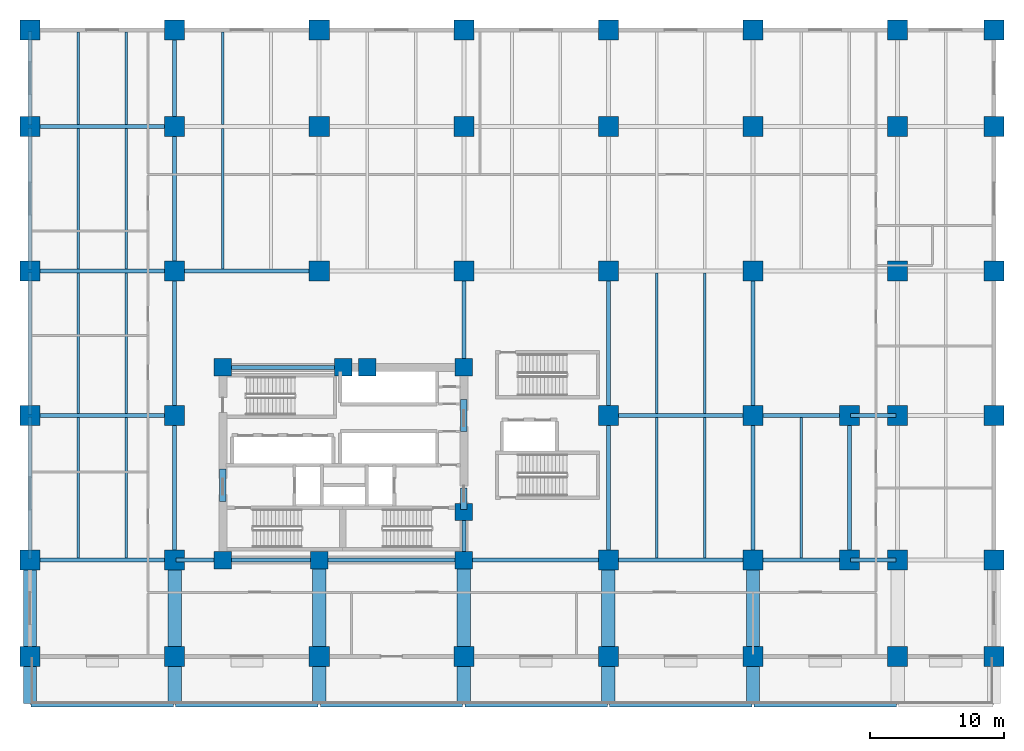
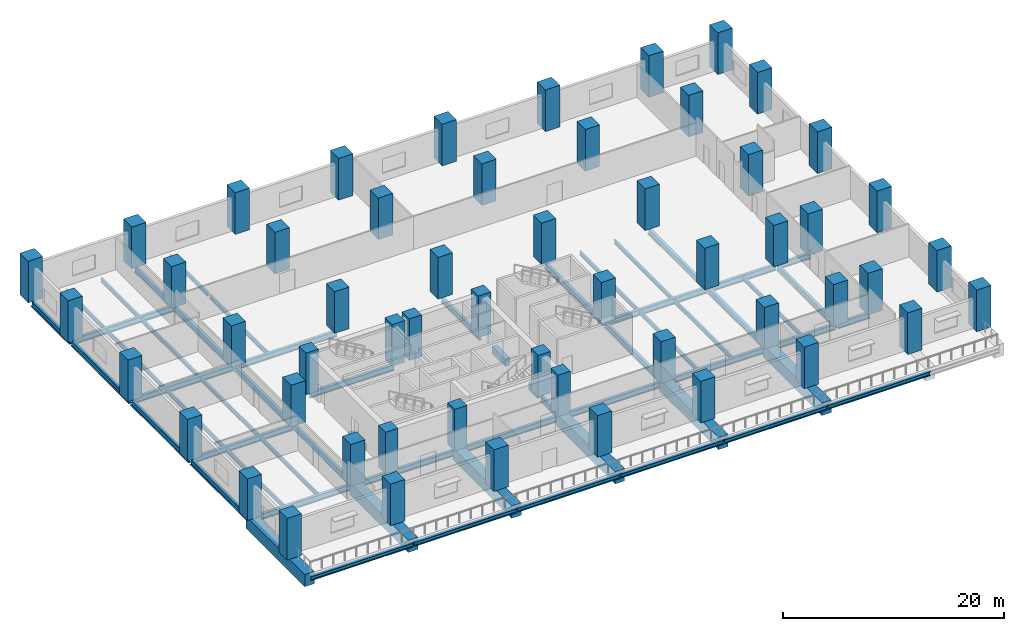
# One storey, part 1 of 11: 61 beams, 54 columns.
"""IFC4 building model written with IfcOpenShell, lengths in metres."""

from ifc_helpers import new_model, si_unit, direction, frame, origin, origin_2d, place, context, subcontext, project, spatial, rectangle, i_section, extrude, material, material_profile, profile_set, type_object, element, save


model = new_model("IFC4")

# Units and contexts
model_context = context("Model", 3, precision=1e-05, world=origin(), true_north=direction((0.0, 1.0)))
body_context = subcontext(model_context, "Body", "Model", "MODEL_VIEW")
ifc_project = project(units=[si_unit("LENGTHUNIT", "METRE"), si_unit("AREAUNIT", "SQUARE_METRE"), si_unit("VOLUMEUNIT", "CUBIC_METRE"), si_unit("PLANEANGLEUNIT", "RADIAN"), si_unit("MASSUNIT", "GRAM", prefix="KILO")], contexts=[model_context])

# Site, building, storey
site_placement = place(None, origin())
site = spatial("IfcSite", under=ifc_project, at=site_placement, CompositionType="ELEMENT")
building_placement = place(site_placement, origin())
building = spatial("IfcBuilding", under=site, at=building_placement, Name="Solnavia Interchange Tower", CompositionType="ELEMENT")
storey_placement = place(building_placement, frame((0.0, 0.0, 14.800048828125)))
storey = spatial("IfcBuildingStorey", under=building, at=storey_placement, Name="L03", CompositionType="ELEMENT", Elevation=14.800048828125)

# Columns
ifc_material_1 = material(Name="Concrete C60/75", Category="concrete")
ifc_material_profile_1 = material_profile(ifc_material_1, rectangle(XDim=1.300048828125, YDim=1.300048828125, at=origin_2d()), Name="RC 1300x1300")
ifc_profile_set_1 = profile_set([ifc_material_profile_1], Name="Concrete C60/75")
column_type_1 = type_object("IfcColumnType", Name="Col-RC-1300x1300", PredefinedType="COLUMN", material=ifc_profile_set_1)
for number, where, z_axis, x_axis, name in (
    (1, (14.39990234375, 10.800048828125, 0.0), (0.0, 0.0, 1.0), (1.0, 0.0, 0.0), "COL-L03-P13 Podium core column"),
    (2, (14.39990234375, 25.199951171875, 0.0), (0.0, 0.0, 1.0), (1.0, 0.0, 0.0), "COL-L03-P14 Podium core column"),
    (3, (21.60009765625, 10.800048828125, 0.0), (0.0, 0.0, 1.0), (1.0, 0.0, 0.0), "COL-L03-P16 Podium core column"),
    (4, (23.39990234375, 25.199951171875, 0.0), (0.0, 0.0, 1.0), (1.0, 0.0, 0.0), "COL-L03-P20 Podium core column"),
    (5, (25.199951171875, 25.199951171875, 0.0), (0.0, 0.0, 1.0), (1.0, 0.0, 0.0), "COL-L03-P21 Podium core column"),
    (6, (32.39990234375, 10.800048828125, 0.0), (0.0, 0.0, 1.0), (1.0, 0.0, 0.0), "COL-L03-P23 Podium core column"),
    (7, (32.39990234375, 14.39990234375, 0.0), (0.0, 0.0, 1.0), (1.0, 0.0, 0.0), "COL-L03-P24 Podium core column"),
    (8, (32.39990234375, 25.199951171875, 0.0), (0.0, 0.0, 1.0), (1.0, 0.0, 0.0), "COL-L03-P25 Podium core column"),
):
    element("IfcColumn", number, at=place(storey_placement, frame(where, z_axis=z_axis, x_axis=x_axis)), inside=storey, type_object=column_type_1, Name=name, PredefinedType="COLUMN", context=body_context, shape_type="SweptSolid", body=[
        extrude(rectangle(XDim=1.300048828125, YDim=1.300048828125, at=origin_2d()), origin(), (0.0, 0.0, 1.0), 4.599853515625),
    ])
ifc_material_profile_2 = material_profile(ifc_material_1, rectangle(XDim=1.5, YDim=1.5, at=origin_2d()), Name="RC 1500x1500")
ifc_profile_set_2 = profile_set([ifc_material_profile_2], Name="Concrete C60/75")
column_type_2 = type_object("IfcColumnType", Name="Col-RC-1500x1500", PredefinedType="COLUMN", material=ifc_profile_set_2)
for number, where, z_axis, x_axis, name in (
    (9, (0.0, 3.60009765625, 0.0), (0.0, 0.0, 1.0), (1.0, 0.0, 0.0), "COL-L03-P01 Podium concourse column"),
    (10, (0.0, 10.800048828125, 0.0), (0.0, 0.0, 1.0), (1.0, 0.0, 0.0), "COL-L03-P02 Podium concourse column"),
    (11, (0.0, 21.60009765625, 0.0), (0.0, 0.0, 1.0), (1.0, 0.0, 0.0), "COL-L03-P03 Podium concourse column"),
    (12, (0.0, 32.39990234375, 0.0), (0.0, 0.0, 1.0), (1.0, 0.0, 0.0), "COL-L03-P04 Podium concourse column"),
    (13, (0.0, 43.199951171875, 0.0), (0.0, 0.0, 1.0), (1.0, 0.0, 0.0), "COL-L03-P05 Podium concourse column"),
    (14, (0.0, 50.39990234375, 0.0), (0.0, 0.0, 1.0), (1.0, 0.0, 0.0), "COL-L03-P06 Podium concourse column"),
    (15, (10.800048828125, 3.60009765625, 0.0), (0.0, 0.0, 1.0), (1.0, 0.0, 0.0), "COL-L03-P07 Podium concourse column"),
    (16, (10.800048828125, 10.800048828125, 0.0), (0.0, 0.0, 1.0), (1.0, 0.0, 0.0), "COL-L03-P08 Podium concourse column"),
    (17, (10.800048828125, 21.60009765625, 0.0), (0.0, 0.0, 1.0), (1.0, 0.0, 0.0), "COL-L03-P09 Podium concourse column"),
    (18, (10.800048828125, 32.39990234375, 0.0), (0.0, 0.0, 1.0), (1.0, 0.0, 0.0), "COL-L03-P10 Podium concourse column"),
    (19, (10.800048828125, 43.199951171875, 0.0), (0.0, 0.0, 1.0), (1.0, 0.0, 0.0), "COL-L03-P11 Podium concourse column"),
    (20, (10.800048828125, 50.39990234375, 0.0), (0.0, 0.0, 1.0), (1.0, 0.0, 0.0), "COL-L03-P12 Podium concourse column"),
    (21, (21.60009765625, 3.60009765625, 0.0), (0.0, 0.0, 1.0), (1.0, 0.0, 0.0), "COL-L03-P15 Podium concourse column"),
    (22, (21.60009765625, 32.39990234375, 0.0), (0.0, 0.0, 1.0), (1.0, 0.0, 0.0), "COL-L03-P17 Podium concourse column"),
    (23, (21.60009765625, 43.199951171875, 0.0), (0.0, 0.0, 1.0), (1.0, 0.0, 0.0), "COL-L03-P18 Podium concourse column"),
    (24, (21.60009765625, 50.39990234375, 0.0), (0.0, 0.0, 1.0), (1.0, 0.0, 0.0), "COL-L03-P19 Podium concourse column"),
    (25, (32.39990234375, 3.60009765625, 0.0), (0.0, 0.0, 1.0), (1.0, 0.0, 0.0), "COL-L03-P22 Podium concourse column"),
    (26, (32.39990234375, 32.39990234375, 0.0), (0.0, 0.0, 1.0), (1.0, 0.0, 0.0), "COL-L03-P26 Podium concourse column"),
    (27, (32.39990234375, 43.199951171875, 0.0), (0.0, 0.0, 1.0), (1.0, 0.0, 0.0), "COL-L03-P27 Podium concourse column"),
    (28, (32.39990234375, 50.39990234375, 0.0), (0.0, 0.0, 1.0), (1.0, 0.0, 0.0), "COL-L03-P28 Podium concourse column"),
    (29, (43.199951171875, 3.60009765625, 0.0), (0.0, 0.0, 1.0), (1.0, 0.0, 0.0), "COL-L03-P29 Podium concourse column"),
    (30, (43.199951171875, 10.800048828125, 0.0), (0.0, 0.0, 1.0), (1.0, 0.0, 0.0), "COL-L03-P30 Podium concourse column"),
    (31, (43.199951171875, 21.60009765625, 0.0), (0.0, 0.0, 1.0), (1.0, 0.0, 0.0), "COL-L03-P31 Podium concourse column"),
    (32, (43.199951171875, 32.39990234375, 0.0), (0.0, 0.0, 1.0), (1.0, 0.0, 0.0), "COL-L03-P32 Podium concourse column"),
    (33, (43.199951171875, 43.199951171875, 0.0), (0.0, 0.0, 1.0), (1.0, 0.0, 0.0), "COL-L03-P33 Podium concourse column"),
    (34, (43.199951171875, 50.39990234375, 0.0), (0.0, 0.0, 1.0), (1.0, 0.0, 0.0), "COL-L03-P34 Podium concourse column"),
    (35, (54.0, 3.60009765625, 0.0), (0.0, 0.0, 1.0), (1.0, 0.0, 0.0), "COL-L03-P35 Podium concourse column"),
    (36, (54.0, 10.800048828125, 0.0), (0.0, 0.0, 1.0), (1.0, 0.0, 0.0), "COL-L03-P36 Podium concourse column"),
    (37, (54.0, 21.60009765625, 0.0), (0.0, 0.0, 1.0), (1.0, 0.0, 0.0), "COL-L03-P37 Podium concourse column"),
    (38, (54.0, 32.39990234375, 0.0), (0.0, 0.0, 1.0), (1.0, 0.0, 0.0), "COL-L03-P38 Podium concourse column"),
    (39, (54.0, 43.199951171875, 0.0), (0.0, 0.0, 1.0), (1.0, 0.0, 0.0), "COL-L03-P39 Podium concourse column"),
    (40, (54.0, 50.39990234375, 0.0), (0.0, 0.0, 1.0), (1.0, 0.0, 0.0), "COL-L03-P40 Podium concourse column"),
    (41, (61.199951171875, 10.800048828125, 0.0), (0.0, 0.0, 1.0), (1.0, 0.0, 0.0), "COL-L03-P41 Podium concourse column"),
    (42, (61.199951171875, 21.60009765625, 0.0), (0.0, 0.0, 1.0), (1.0, 0.0, 0.0), "COL-L03-P42 Podium concourse column"),
    (43, (64.800048828125, 3.60009765625, 0.0), (0.0, 0.0, 1.0), (1.0, 0.0, 0.0), "COL-L03-P43 Podium concourse column"),
    (44, (64.800048828125, 10.800048828125, 0.0), (0.0, 0.0, 1.0), (1.0, 0.0, 0.0), "COL-L03-P44 Podium concourse column"),
    (45, (64.800048828125, 21.60009765625, 0.0), (0.0, 0.0, 1.0), (1.0, 0.0, 0.0), "COL-L03-P45 Podium concourse column"),
    (46, (64.800048828125, 32.39990234375, 0.0), (0.0, 0.0, 1.0), (1.0, 0.0, 0.0), "COL-L03-P46 Podium concourse column"),
    (47, (64.800048828125, 43.199951171875, 0.0), (0.0, 0.0, 1.0), (1.0, 0.0, 0.0), "COL-L03-P47 Podium concourse column"),
    (48, (64.800048828125, 50.39990234375, 0.0), (0.0, 0.0, 1.0), (1.0, 0.0, 0.0), "COL-L03-P48 Podium concourse column"),
    (49, (72.0, 3.60009765625, 0.0), (0.0, 0.0, 1.0), (1.0, 0.0, 0.0), "COL-L03-P49 Podium concourse column"),
    (50, (72.0, 10.800048828125, 0.0), (0.0, 0.0, 1.0), (1.0, 0.0, 0.0), "COL-L03-P50 Podium concourse column"),
    (51, (72.0, 21.60009765625, 0.0), (0.0, 0.0, 1.0), (1.0, 0.0, 0.0), "COL-L03-P51 Podium concourse column"),
    (52, (72.0, 32.39990234375, 0.0), (0.0, 0.0, 1.0), (1.0, 0.0, 0.0), "COL-L03-P52 Podium concourse column"),
    (53, (72.0, 43.199951171875, 0.0), (0.0, 0.0, 1.0), (1.0, 0.0, 0.0), "COL-L03-P53 Podium concourse column"),
    (54, (72.0, 50.39990234375, 0.0), (0.0, 0.0, 1.0), (1.0, 0.0, 0.0), "COL-L03-P54 Podium concourse column"),
):
    element("IfcColumn", number, at=place(storey_placement, frame(where, z_axis=z_axis, x_axis=x_axis)), inside=storey, type_object=column_type_2, Name=name, PredefinedType="COLUMN", context=body_context, shape_type="SweptSolid", body=[
        extrude(rectangle(XDim=1.5, YDim=1.5, at=origin_2d()), origin(), (0.0, 0.0, 1.0), 4.599853515625),
    ])

# Beams
ifc_material_2 = material(Name="Concrete C50/60", Category="concrete")
ifc_material_profile_3 = material_profile(ifc_material_2, rectangle(XDim=0.5, YDim=0.800048828125, at=origin_2d()), Name="RC 500x800")
ifc_profile_set_3 = profile_set([ifc_material_profile_3], Name="Concrete C50/60")
beam_type_1 = type_object("IfcBeamType", Name="Beam-Coupling-RC500x800", PredefinedType="LINTEL", material=ifc_profile_set_3)
beam_1_placement = place(storey_placement, frame((14.39990234375, 15.199951171875, -0.400146484375), z_axis=(0.0, 1.0, 0.0), x_axis=(-1.0, 0.0, 0.0)))
element("IfcBeam", 55, at=beam_1_placement, inside=storey, type_object=beam_type_1, Name="CPB-L03-W1 Core coupling lintel beam", PredefinedType="LINTEL", context=body_context, shape_type="SweptSolid", body=[
    extrude(rectangle(XDim=0.5, YDim=0.800048828125, at=origin_2d()), origin(), (0.0, 0.0, 1.0), 2.400146484375),
])
beam_2_placement = place(storey_placement, frame((32.39990234375, 14.60009765625, -0.400146484375), z_axis=(0.0, 1.0, 0.0), x_axis=(-1.0, 0.0, 0.0)))
element("IfcBeam", 56, at=beam_2_placement, inside=storey, type_object=beam_type_1, Name="CPB-L03-E1 Core coupling lintel beam", PredefinedType="LINTEL", context=body_context, shape_type="SweptSolid", body=[
    extrude(rectangle(XDim=0.5, YDim=0.800048828125, at=origin_2d()), origin(), (0.0, 0.0, 1.0), 1.599853515625),
])
beam_3_placement = place(storey_placement, frame((32.39990234375, 20.39990234375, -0.400146484375), z_axis=(0.0, 1.0, 0.0), x_axis=(-1.0, 0.0, 0.0)))
element("IfcBeam", 57, at=beam_3_placement, inside=storey, type_object=beam_type_1, Name="CPB-L03-E2 Core coupling lintel beam", PredefinedType="LINTEL", context=body_context, shape_type="SweptSolid", body=[
    extrude(rectangle(XDim=0.5, YDim=0.800048828125, at=origin_2d()), origin(), (0.0, 0.0, 1.0), 2.400146484375),
])
ifc_material_3 = material(Name="Steel S460", Category="steel")
ifc_material_profile_4 = material_profile(ifc_material_3, i_section(OverallWidth=0.300048828125, OverallDepth=0.449951171875, WebThickness=0.013916015625, FlangeThickness=0.02587890625, FilletRadius=0.027099609375, at=origin_2d()), Name="HEB 450")
ifc_profile_set_4 = profile_set([ifc_material_profile_4], Name="Steel S460")
beam_type_2 = type_object("IfcBeamType", Name="Beam-Girder-HEB450", PredefinedType="BEAM", material=ifc_profile_set_4)
beam_4_placement = place(storey_placement, frame((0.080078125, 0.0, -0.525146484375), z_axis=(1.0, 0.0, 0.0), x_axis=(0.0, 1.0, 0.0)))
element("IfcBeam", 58, at=beam_4_placement, inside=storey, type_object=beam_type_2, Name="GRD-L03-RFS09 South terrace edge girder", PredefinedType="BEAM", context=body_context, shape_type="SweptSolid", body=[
    extrude(i_section(OverallWidth=0.300048828125, OverallDepth=0.449951171875, WebThickness=0.013916015625, FlangeThickness=0.02587890625, FilletRadius=0.027099609375, at=origin_2d()), origin(), (0.0, 0.0, 1.0), 10.639892578125),
])
for number, where, z_axis, x_axis, name in (
    (59, (10.8798828125, 0.0, -0.525146484375), (1.0, 0.0, 0.0), (0.0, 1.0, 0.0), "GRD-L03-RFS10 South terrace edge girder"),
    (60, (21.679931640625, 0.0, -0.525146484375), (1.0, 0.0, 0.0), (0.0, 1.0, 0.0), "GRD-L03-RFS11 South terrace edge girder"),
    (61, (32.47998046875, 0.0, -0.525146484375), (1.0, 0.0, 0.0), (0.0, 1.0, 0.0), "GRD-L03-RFS12 South terrace edge girder"),
):
    element("IfcBeam", number, at=place(storey_placement, frame(where, z_axis=z_axis, x_axis=x_axis)), inside=storey, type_object=beam_type_2, Name=name, PredefinedType="BEAM", context=body_context, shape_type="SweptSolid", body=[
        extrude(i_section(OverallWidth=0.300048828125, OverallDepth=0.449951171875, WebThickness=0.013916015625, FlangeThickness=0.02587890625, FilletRadius=0.027099609375, at=origin_2d()), origin(), (0.0, 0.0, 1.0), 10.64013671875),
    ])
for number, where, z_axis, x_axis, name in (
    (62, (43.280029296875, 0.0, -0.525146484375), (1.0, 0.0, 0.0), (0.0, 1.0, 0.0), "GRD-L03-RFS13 South terrace edge girder"),
    (63, (54.080078125, 0.0, -0.525146484375), (1.0, 0.0, 0.0), (0.0, 1.0, 0.0), "GRD-L03-RFS14 South terrace edge girder"),
):
    element("IfcBeam", number, at=place(storey_placement, frame(where, z_axis=z_axis, x_axis=x_axis)), inside=storey, type_object=beam_type_2, Name=name, PredefinedType="BEAM", context=body_context, shape_type="SweptSolid", body=[
        extrude(i_section(OverallWidth=0.300048828125, OverallDepth=0.449951171875, WebThickness=0.013916015625, FlangeThickness=0.02587890625, FilletRadius=0.027099609375, at=origin_2d()), origin(), (0.0, 0.0, 1.0), 10.639892578125),
    ])
ifc_material_profile_5 = material_profile(ifc_material_3, i_section(OverallWidth=0.300048828125, OverallDepth=0.64990234375, WebThickness=0.01611328125, FlangeThickness=0.031005859375, FilletRadius=0.027099609375, at=origin_2d()), Name="HEB 650")
ifc_profile_set_5 = profile_set([ifc_material_profile_5], Name="Steel S460")
beam_type_3 = type_object("IfcBeamType", Name="Beam-Girder-HEB650", PredefinedType="BEAM", material=ifc_profile_set_5)
beam_5_placement = place(storey_placement, frame((0.10009765625, 10.800048828125, -0.625), z_axis=(1.0, 0.0, 0.0), x_axis=(0.0, 1.0, 0.0)))
element("IfcBeam", 64, at=beam_5_placement, inside=storey, type_object=beam_type_3, Name="GRD-L03-01 Podium primary girder", PredefinedType="BEAM", context=body_context, shape_type="SweptSolid", body=[
    extrude(i_section(OverallWidth=0.300048828125, OverallDepth=0.64990234375, WebThickness=0.01611328125, FlangeThickness=0.031005859375, FilletRadius=0.027099609375, at=origin_2d()), origin(), (0.0, 0.0, 1.0), 10.599853515625),
])
beam_6_placement = place(storey_placement, frame((10.89990234375, 10.800048828125, -0.625), z_axis=(1.0, 0.0, 0.0), x_axis=(0.0, 1.0, 0.0)))
element("IfcBeam", 65, at=beam_6_placement, inside=storey, type_object=beam_type_3, Name="GRD-L03-02 Podium primary girder", PredefinedType="BEAM", context=body_context, shape_type="SweptSolid", body=[
    extrude(i_section(OverallWidth=0.300048828125, OverallDepth=0.64990234375, WebThickness=0.01611328125, FlangeThickness=0.031005859375, FilletRadius=0.027099609375, at=origin_2d()), origin(), (0.0, 0.0, 1.0), 3.400146484375),
])
beam_7_placement = place(storey_placement, frame((14.5, 10.800048828125, -0.625), z_axis=(1.0, 0.0, 0.0), x_axis=(0.0, 1.0, 0.0)))
element("IfcBeam", 66, at=beam_7_placement, inside=storey, type_object=beam_type_3, Name="GRD-L03-03 Podium primary girder", PredefinedType="BEAM", context=body_context, shape_type="SweptSolid", body=[
    extrude(i_section(OverallWidth=0.300048828125, OverallDepth=0.64990234375, WebThickness=0.01611328125, FlangeThickness=0.031005859375, FilletRadius=0.027099609375, at=origin_2d()), origin(), (0.0, 0.0, 1.0), 7.0),
])
for number, where, z_axis, x_axis, name in (
    (67, (21.699951171875, 10.800048828125, -0.625), (1.0, 0.0, 0.0), (0.0, 1.0, 0.0), "GRD-L03-04 Podium primary girder"),
    (68, (32.5, 10.800048828125, -0.625), (1.0, 0.0, 0.0), (0.0, 1.0, 0.0), "GRD-L03-05 Podium primary girder"),
):
    element("IfcBeam", number, at=place(storey_placement, frame(where, z_axis=z_axis, x_axis=x_axis)), inside=storey, type_object=beam_type_3, Name=name, PredefinedType="BEAM", context=body_context, shape_type="SweptSolid", body=[
        extrude(i_section(OverallWidth=0.300048828125, OverallDepth=0.64990234375, WebThickness=0.01611328125, FlangeThickness=0.031005859375, FilletRadius=0.027099609375, at=origin_2d()), origin(), (0.0, 0.0, 1.0), 10.60009765625),
    ])
beam_8_placement = place(storey_placement, frame((43.300048828125, 10.800048828125, -0.625), z_axis=(1.0, 0.0, 0.0), x_axis=(0.0, 1.0, 0.0)))
element("IfcBeam", 69, at=beam_8_placement, inside=storey, type_object=beam_type_3, Name="GRD-L03-06 Podium primary girder", PredefinedType="BEAM", context=body_context, shape_type="SweptSolid", body=[
    extrude(i_section(OverallWidth=0.300048828125, OverallDepth=0.64990234375, WebThickness=0.01611328125, FlangeThickness=0.031005859375, FilletRadius=0.027099609375, at=origin_2d()), origin(), (0.0, 0.0, 1.0), 10.599853515625),
])
beam_9_placement = place(storey_placement, frame((54.10009765625, 10.800048828125, -0.625), z_axis=(1.0, 0.0, 0.0), x_axis=(0.0, 1.0, 0.0)))
element("IfcBeam", 70, at=beam_9_placement, inside=storey, type_object=beam_type_3, Name="GRD-L03-07 Podium primary girder", PredefinedType="BEAM", context=body_context, shape_type="SweptSolid", body=[
    extrude(i_section(OverallWidth=0.300048828125, OverallDepth=0.64990234375, WebThickness=0.01611328125, FlangeThickness=0.031005859375, FilletRadius=0.027099609375, at=origin_2d()), origin(), (0.0, 0.0, 1.0), 7.0),
])
beam_10_placement = place(storey_placement, frame((61.300048828125, 10.800048828125, -0.625), z_axis=(1.0, 0.0, 0.0), x_axis=(0.0, 1.0, 0.0)))
element("IfcBeam", 71, at=beam_10_placement, inside=storey, type_object=beam_type_3, Name="GRD-L03-08 Podium primary girder", PredefinedType="BEAM", context=body_context, shape_type="SweptSolid", body=[
    extrude(i_section(OverallWidth=0.300048828125, OverallDepth=0.64990234375, WebThickness=0.01611328125, FlangeThickness=0.031005859375, FilletRadius=0.027099609375, at=origin_2d()), origin(), (0.0, 0.0, 1.0), 3.39990234375),
])
for number, where, z_axis, x_axis, name in (
    (72, (0.10009765625, 21.60009765625, -0.625), (1.0, 0.0, 0.0), (0.0, 1.0, 0.0), "GRD-L03-10 Podium primary girder"),
    (73, (43.300048828125, 21.60009765625, -0.625), (1.0, 0.0, 0.0), (0.0, 1.0, 0.0), "GRD-L03-11 Podium primary girder"),
):
    element("IfcBeam", number, at=place(storey_placement, frame(where, z_axis=z_axis, x_axis=x_axis)), inside=storey, type_object=beam_type_3, Name=name, PredefinedType="BEAM", context=body_context, shape_type="SweptSolid", body=[
        extrude(i_section(OverallWidth=0.300048828125, OverallDepth=0.64990234375, WebThickness=0.01611328125, FlangeThickness=0.031005859375, FilletRadius=0.027099609375, at=origin_2d()), origin(), (0.0, 0.0, 1.0), 10.599853515625),
    ])
beam_11_placement = place(storey_placement, frame((54.10009765625, 21.60009765625, -0.625), z_axis=(1.0, 0.0, 0.0), x_axis=(0.0, 1.0, 0.0)))
element("IfcBeam", 74, at=beam_11_placement, inside=storey, type_object=beam_type_3, Name="GRD-L03-12 Podium primary girder", PredefinedType="BEAM", context=body_context, shape_type="SweptSolid", body=[
    extrude(i_section(OverallWidth=0.300048828125, OverallDepth=0.64990234375, WebThickness=0.01611328125, FlangeThickness=0.031005859375, FilletRadius=0.027099609375, at=origin_2d()), origin(), (0.0, 0.0, 1.0), 7.0),
])
beam_12_placement = place(storey_placement, frame((61.300048828125, 21.60009765625, -0.625), z_axis=(1.0, 0.0, 0.0), x_axis=(0.0, 1.0, 0.0)))
element("IfcBeam", 75, at=beam_12_placement, inside=storey, type_object=beam_type_3, Name="GRD-L03-13 Podium primary girder", PredefinedType="BEAM", context=body_context, shape_type="SweptSolid", body=[
    extrude(i_section(OverallWidth=0.300048828125, OverallDepth=0.64990234375, WebThickness=0.01611328125, FlangeThickness=0.031005859375, FilletRadius=0.027099609375, at=origin_2d()), origin(), (0.0, 0.0, 1.0), 3.39990234375),
])
beam_13_placement = place(storey_placement, frame((14.5, 25.199951171875, -0.625), z_axis=(1.0, 0.0, 0.0), x_axis=(0.0, 1.0, 0.0)))
element("IfcBeam", 76, at=beam_13_placement, inside=storey, type_object=beam_type_3, Name="GRD-L03-15 Podium primary girder", PredefinedType="BEAM", context=body_context, shape_type="SweptSolid", body=[
    extrude(i_section(OverallWidth=0.300048828125, OverallDepth=0.64990234375, WebThickness=0.01611328125, FlangeThickness=0.031005859375, FilletRadius=0.027099609375, at=origin_2d()), origin(), (0.0, 0.0, 1.0), 8.800048828125),
])
beam_14_placement = place(storey_placement, frame((0.10009765625, 32.39990234375, -0.625), z_axis=(1.0, 0.0, 0.0), x_axis=(0.0, 1.0, 0.0)))
element("IfcBeam", 77, at=beam_14_placement, inside=storey, type_object=beam_type_3, Name="GRD-L03-16 Podium primary girder", PredefinedType="BEAM", context=body_context, shape_type="SweptSolid", body=[
    extrude(i_section(OverallWidth=0.300048828125, OverallDepth=0.64990234375, WebThickness=0.01611328125, FlangeThickness=0.031005859375, FilletRadius=0.027099609375, at=origin_2d()), origin(), (0.0, 0.0, 1.0), 10.599853515625),
])
beam_15_placement = place(storey_placement, frame((10.89990234375, 32.39990234375, -0.625), z_axis=(1.0, 0.0, 0.0), x_axis=(0.0, 1.0, 0.0)))
element("IfcBeam", 78, at=beam_15_placement, inside=storey, type_object=beam_type_3, Name="GRD-L03-17 Podium primary girder", PredefinedType="BEAM", context=body_context, shape_type="SweptSolid", body=[
    extrude(i_section(OverallWidth=0.300048828125, OverallDepth=0.64990234375, WebThickness=0.01611328125, FlangeThickness=0.031005859375, FilletRadius=0.027099609375, at=origin_2d()), origin(), (0.0, 0.0, 1.0), 10.60009765625),
])
beam_16_placement = place(storey_placement, frame((0.10009765625, 43.199951171875, -0.625), z_axis=(1.0, 0.0, 0.0), x_axis=(0.0, 1.0, 0.0)))
element("IfcBeam", 79, at=beam_16_placement, inside=storey, type_object=beam_type_3, Name="GRD-L03-23 Podium primary girder", PredefinedType="BEAM", context=body_context, shape_type="SweptSolid", body=[
    extrude(i_section(OverallWidth=0.300048828125, OverallDepth=0.64990234375, WebThickness=0.01611328125, FlangeThickness=0.031005859375, FilletRadius=0.027099609375, at=origin_2d()), origin(), (0.0, 0.0, 1.0), 10.599853515625),
])
for number, where, z_axis, x_axis, name in (
    (80, (0.0, 10.89990234375, -0.625), (0.0, 1.0, 0.0), (-1.0, 0.0, 0.0), "GRD-L03-37 Podium primary girder"),
    (81, (0.0, 21.699951171875, -0.625), (0.0, 1.0, 0.0), (-1.0, 0.0, 0.0), "GRD-L03-38 Podium primary girder"),
    (82, (0.0, 32.5, -0.625), (0.0, 1.0, 0.0), (-1.0, 0.0, 0.0), "GRD-L03-39 Podium primary girder"),
):
    element("IfcBeam", number, at=place(storey_placement, frame(where, z_axis=z_axis, x_axis=x_axis)), inside=storey, type_object=beam_type_3, Name=name, PredefinedType="BEAM", context=body_context, shape_type="SweptSolid", body=[
        extrude(i_section(OverallWidth=0.300048828125, OverallDepth=0.64990234375, WebThickness=0.01611328125, FlangeThickness=0.031005859375, FilletRadius=0.027099609375, at=origin_2d()), origin(), (0.0, 0.0, 1.0), 10.60009765625),
    ])
beam_17_placement = place(storey_placement, frame((0.0, 43.300048828125, -0.625), z_axis=(0.0, 1.0, 0.0), x_axis=(-1.0, 0.0, 0.0)))
element("IfcBeam", 83, at=beam_17_placement, inside=storey, type_object=beam_type_3, Name="GRD-L03-40 Podium primary girder", PredefinedType="BEAM", context=body_context, shape_type="SweptSolid", body=[
    extrude(i_section(OverallWidth=0.300048828125, OverallDepth=0.64990234375, WebThickness=0.01611328125, FlangeThickness=0.031005859375, FilletRadius=0.027099609375, at=origin_2d()), origin(), (0.0, 0.0, 1.0), 7.0),
])
for number, where, z_axis, x_axis, name in (
    (84, (10.800048828125, 10.89990234375, -0.625), (0.0, 1.0, 0.0), (-1.0, 0.0, 0.0), "GRD-L03-41 Podium primary girder"),
    (85, (10.800048828125, 21.699951171875, -0.625), (0.0, 1.0, 0.0), (-1.0, 0.0, 0.0), "GRD-L03-42 Podium primary girder"),
    (86, (10.800048828125, 32.5, -0.625), (0.0, 1.0, 0.0), (-1.0, 0.0, 0.0), "GRD-L03-43 Podium primary girder"),
):
    element("IfcBeam", number, at=place(storey_placement, frame(where, z_axis=z_axis, x_axis=x_axis)), inside=storey, type_object=beam_type_3, Name=name, PredefinedType="BEAM", context=body_context, shape_type="SweptSolid", body=[
        extrude(i_section(OverallWidth=0.300048828125, OverallDepth=0.64990234375, WebThickness=0.01611328125, FlangeThickness=0.031005859375, FilletRadius=0.027099609375, at=origin_2d()), origin(), (0.0, 0.0, 1.0), 10.60009765625),
    ])
beam_18_placement = place(storey_placement, frame((10.800048828125, 43.300048828125, -0.625), z_axis=(0.0, 1.0, 0.0), x_axis=(-1.0, 0.0, 0.0)))
element("IfcBeam", 87, at=beam_18_placement, inside=storey, type_object=beam_type_3, Name="GRD-L03-44 Podium primary girder", PredefinedType="BEAM", context=body_context, shape_type="SweptSolid", body=[
    extrude(i_section(OverallWidth=0.300048828125, OverallDepth=0.64990234375, WebThickness=0.01611328125, FlangeThickness=0.031005859375, FilletRadius=0.027099609375, at=origin_2d()), origin(), (0.0, 0.0, 1.0), 7.0),
])
beam_19_placement = place(storey_placement, frame((32.39990234375, 10.89990234375, -0.625), z_axis=(0.0, 1.0, 0.0), x_axis=(-1.0, 0.0, 0.0)))
element("IfcBeam", 88, at=beam_19_placement, inside=storey, type_object=beam_type_3, Name="GRD-L03-47 Podium primary girder", PredefinedType="BEAM", context=body_context, shape_type="SweptSolid", body=[
    extrude(i_section(OverallWidth=0.300048828125, OverallDepth=0.64990234375, WebThickness=0.01611328125, FlangeThickness=0.031005859375, FilletRadius=0.027099609375, at=origin_2d()), origin(), (0.0, 0.0, 1.0), 3.400146484375),
])
beam_20_placement = place(storey_placement, frame((32.39990234375, 25.300048828125, -0.625), z_axis=(0.0, 1.0, 0.0), x_axis=(-1.0, 0.0, 0.0)))
element("IfcBeam", 89, at=beam_20_placement, inside=storey, type_object=beam_type_3, Name="GRD-L03-48 Podium primary girder", PredefinedType="BEAM", context=body_context, shape_type="SweptSolid", body=[
    extrude(i_section(OverallWidth=0.300048828125, OverallDepth=0.64990234375, WebThickness=0.01611328125, FlangeThickness=0.031005859375, FilletRadius=0.027099609375, at=origin_2d()), origin(), (0.0, 0.0, 1.0), 7.0),
])
for number, where, z_axis, x_axis, name in (
    (90, (43.199951171875, 10.89990234375, -0.625), (0.0, 1.0, 0.0), (-1.0, 0.0, 0.0), "GRD-L03-51 Podium primary girder"),
    (91, (43.199951171875, 21.699951171875, -0.625), (0.0, 1.0, 0.0), (-1.0, 0.0, 0.0), "GRD-L03-52 Podium primary girder"),
    (92, (54.0, 10.89990234375, -0.625), (0.0, 1.0, 0.0), (-1.0, 0.0, 0.0), "GRD-L03-55 Podium primary girder"),
    (93, (54.0, 21.699951171875, -0.625), (0.0, 1.0, 0.0), (-1.0, 0.0, 0.0), "GRD-L03-56 Podium primary girder"),
    (94, (61.199951171875, 10.89990234375, -0.625), (0.0, 1.0, 0.0), (-1.0, 0.0, 0.0), "GRD-L03-59 Podium primary girder"),
):
    element("IfcBeam", number, at=place(storey_placement, frame(where, z_axis=z_axis, x_axis=x_axis)), inside=storey, type_object=beam_type_3, Name=name, PredefinedType="BEAM", context=body_context, shape_type="SweptSolid", body=[
        extrude(i_section(OverallWidth=0.300048828125, OverallDepth=0.64990234375, WebThickness=0.01611328125, FlangeThickness=0.031005859375, FilletRadius=0.027099609375, at=origin_2d()), origin(), (0.0, 0.0, 1.0), 10.60009765625),
    ])
ifc_material_4 = material(Name="Steel S355", Category="steel")
ifc_material_profile_6 = material_profile(ifc_material_4, i_section(OverallWidth=0.18994140625, OverallDepth=0.449951171875, WebThickness=0.009521484375, FlangeThickness=0.0146484375, FilletRadius=0.02099609375, at=origin_2d()), Name="IPE 450")
ifc_profile_set_6 = profile_set([ifc_material_profile_6], Name="Steel S355")
beam_type_4 = type_object("IfcBeamType", Name="Beam-Joist-IPE450", PredefinedType="JOIST", material=ifc_profile_set_6)
for number, where, z_axis, x_axis, name in (
    (95, (3.60009765625, 10.949951171875, -0.525146484375), (0.0, 1.0, 0.0), (-1.0, 0.0, 0.0), "JST-L03-01 Podium composite floor joist"),
    (96, (3.60009765625, 21.75, -0.525146484375), (0.0, 1.0, 0.0), (-1.0, 0.0, 0.0), "JST-L03-02 Podium composite floor joist"),
    (97, (3.60009765625, 32.550048828125, -0.525146484375), (0.0, 1.0, 0.0), (-1.0, 0.0, 0.0), "JST-L03-03 Podium composite floor joist"),
):
    element("IfcBeam", number, at=place(storey_placement, frame(where, z_axis=z_axis, x_axis=x_axis)), inside=storey, type_object=beam_type_4, Name=name, PredefinedType="JOIST", context=body_context, shape_type="SweptSolid", body=[
        extrude(i_section(OverallWidth=0.18994140625, OverallDepth=0.449951171875, WebThickness=0.009521484375, FlangeThickness=0.0146484375, FilletRadius=0.02099609375, at=origin_2d()), origin(), (0.0, 0.0, 1.0), 10.5),
    ])
beam_21_placement = place(storey_placement, frame((3.60009765625, 43.35009765625, -0.525146484375), z_axis=(0.0, 1.0, 0.0), x_axis=(-1.0, 0.0, 0.0)))
element("IfcBeam", 98, at=beam_21_placement, inside=storey, type_object=beam_type_4, Name="JST-L03-04 Podium composite floor joist", PredefinedType="JOIST", context=body_context, shape_type="SweptSolid", body=[
    extrude(i_section(OverallWidth=0.18994140625, OverallDepth=0.449951171875, WebThickness=0.009521484375, FlangeThickness=0.0146484375, FilletRadius=0.02099609375, at=origin_2d()), origin(), (0.0, 0.0, 1.0), 6.89990234375),
])
for number, where, z_axis, x_axis, name in (
    (99, (7.199951171875, 10.949951171875, -0.525146484375), (0.0, 1.0, 0.0), (-1.0, 0.0, 0.0), "JST-L03-05 Podium composite floor joist"),
    (100, (7.199951171875, 21.75, -0.525146484375), (0.0, 1.0, 0.0), (-1.0, 0.0, 0.0), "JST-L03-06 Podium composite floor joist"),
    (101, (7.199951171875, 32.550048828125, -0.525146484375), (0.0, 1.0, 0.0), (-1.0, 0.0, 0.0), "JST-L03-07 Podium composite floor joist"),
):
    element("IfcBeam", number, at=place(storey_placement, frame(where, z_axis=z_axis, x_axis=x_axis)), inside=storey, type_object=beam_type_4, Name=name, PredefinedType="JOIST", context=body_context, shape_type="SweptSolid", body=[
        extrude(i_section(OverallWidth=0.18994140625, OverallDepth=0.449951171875, WebThickness=0.009521484375, FlangeThickness=0.0146484375, FilletRadius=0.02099609375, at=origin_2d()), origin(), (0.0, 0.0, 1.0), 10.5),
    ])
beam_22_placement = place(storey_placement, frame((7.199951171875, 43.35009765625, -0.525146484375), z_axis=(0.0, 1.0, 0.0), x_axis=(-1.0, 0.0, 0.0)))
element("IfcBeam", 102, at=beam_22_placement, inside=storey, type_object=beam_type_4, Name="JST-L03-08 Podium composite floor joist", PredefinedType="JOIST", context=body_context, shape_type="SweptSolid", body=[
    extrude(i_section(OverallWidth=0.18994140625, OverallDepth=0.449951171875, WebThickness=0.009521484375, FlangeThickness=0.0146484375, FilletRadius=0.02099609375, at=origin_2d()), origin(), (0.0, 0.0, 1.0), 6.89990234375),
])
beam_23_placement = place(storey_placement, frame((14.39990234375, 32.550048828125, -0.525146484375), z_axis=(0.0, 1.0, 0.0), x_axis=(-1.0, 0.0, 0.0)))
element("IfcBeam", 103, at=beam_23_placement, inside=storey, type_object=beam_type_4, Name="JST-L03-09 Podium composite floor joist", PredefinedType="JOIST", context=body_context, shape_type="SweptSolid", body=[
    extrude(i_section(OverallWidth=0.18994140625, OverallDepth=0.449951171875, WebThickness=0.009521484375, FlangeThickness=0.0146484375, FilletRadius=0.02099609375, at=origin_2d()), origin(), (0.0, 0.0, 1.0), 10.5),
])
beam_24_placement = place(storey_placement, frame((14.39990234375, 43.35009765625, -0.525146484375), z_axis=(0.0, 1.0, 0.0), x_axis=(-1.0, 0.0, 0.0)))
element("IfcBeam", 104, at=beam_24_placement, inside=storey, type_object=beam_type_4, Name="JST-L03-10 Podium composite floor joist", PredefinedType="JOIST", context=body_context, shape_type="SweptSolid", body=[
    extrude(i_section(OverallWidth=0.18994140625, OverallDepth=0.449951171875, WebThickness=0.009521484375, FlangeThickness=0.0146484375, FilletRadius=0.02099609375, at=origin_2d()), origin(), (0.0, 0.0, 1.0), 6.89990234375),
])
for number, where, z_axis, x_axis, name in (
    (105, (46.800048828125, 10.949951171875, -0.525146484375), (0.0, 1.0, 0.0), (-1.0, 0.0, 0.0), "JST-L03-21 Podium composite floor joist"),
    (106, (46.800048828125, 21.75, -0.525146484375), (0.0, 1.0, 0.0), (-1.0, 0.0, 0.0), "JST-L03-22 Podium composite floor joist"),
    (107, (50.39990234375, 10.949951171875, -0.525146484375), (0.0, 1.0, 0.0), (-1.0, 0.0, 0.0), "JST-L03-25 Podium composite floor joist"),
    (108, (50.39990234375, 21.75, -0.525146484375), (0.0, 1.0, 0.0), (-1.0, 0.0, 0.0), "JST-L03-26 Podium composite floor joist"),
    (109, (57.60009765625, 10.949951171875, -0.525146484375), (0.0, 1.0, 0.0), (-1.0, 0.0, 0.0), "JST-L03-29 Podium composite floor joist"),
):
    element("IfcBeam", number, at=place(storey_placement, frame(where, z_axis=z_axis, x_axis=x_axis)), inside=storey, type_object=beam_type_4, Name=name, PredefinedType="JOIST", context=body_context, shape_type="SweptSolid", body=[
        extrude(i_section(OverallWidth=0.18994140625, OverallDepth=0.449951171875, WebThickness=0.009521484375, FlangeThickness=0.0146484375, FilletRadius=0.02099609375, at=origin_2d()), origin(), (0.0, 0.0, 1.0), 10.5),
    ])
ifc_material_profile_7 = material_profile(ifc_material_1, rectangle(XDim=1.0, YDim=1.35009765625, at=origin_2d()), Name="RC 1000x1350")
ifc_profile_set_7 = profile_set([ifc_material_profile_7], Name="Concrete C60/75")
beam_type_5 = type_object("IfcBeamType", Name="Beam-Transfer-RC1000x1350", PredefinedType="BEAM", material=ifc_profile_set_7)
for number, where, z_axis, x_axis, name in (
    (110, (0.0, 0.080078125, -0.675048828125), (0.0, 1.0, 0.0), (-1.0, 0.0, 0.0), "TRB-L03-01 Podium south step-back transfer girder"),
    (111, (10.800048828125, 0.080078125, -0.675048828125), (0.0, 1.0, 0.0), (-1.0, 0.0, 0.0), "TRB-L03-02 Podium south step-back transfer girder"),
    (112, (21.60009765625, 0.080078125, -0.675048828125), (0.0, 1.0, 0.0), (-1.0, 0.0, 0.0), "TRB-L03-03 Podium south step-back transfer girder"),
    (113, (32.39990234375, 0.080078125, -0.675048828125), (0.0, 1.0, 0.0), (-1.0, 0.0, 0.0), "TRB-L03-04 Podium south step-back transfer girder"),
    (114, (43.199951171875, 0.080078125, -0.675048828125), (0.0, 1.0, 0.0), (-1.0, 0.0, 0.0), "TRB-L03-05 Podium south step-back transfer girder"),
    (115, (54.0, 0.080078125, -0.675048828125), (0.0, 1.0, 0.0), (-1.0, 0.0, 0.0), "TRB-L03-06 Podium south step-back transfer girder"),
):
    element("IfcBeam", number, at=place(storey_placement, frame(where, z_axis=z_axis, x_axis=x_axis)), inside=storey, type_object=beam_type_5, Name=name, PredefinedType="BEAM", context=body_context, shape_type="SweptSolid", body=[
        extrude(rectangle(XDim=1.0, YDim=1.35009765625, at=origin_2d()), origin(), (0.0, 0.0, 1.0), 10.639892578125),
    ])

save(model, "model.ifc")
